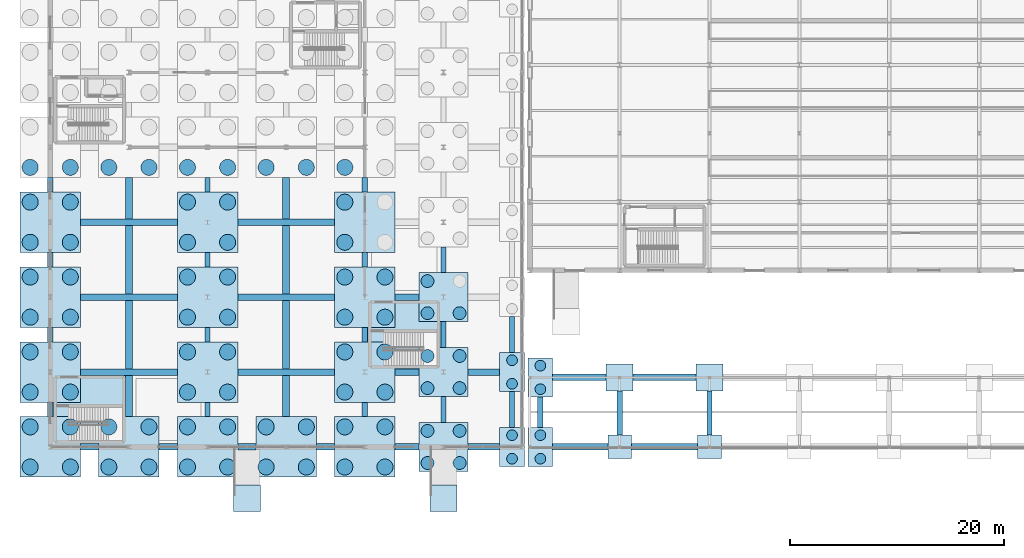
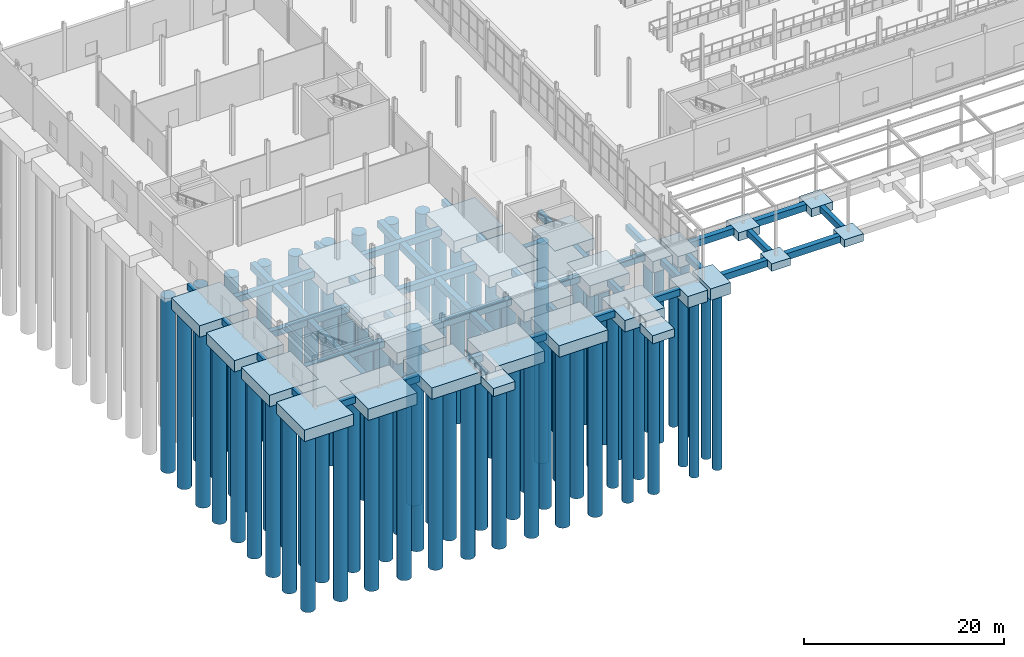
# One storey, part 1 of 139: 82 piles, 70 footings.
"""IFC4 building model written with IfcOpenShell, lengths in metres."""

from ifc_helpers import new_model, si_unit, direction, frame, origin, origin_2d, place, context, subcontext, project, spatial, polyline, rectangle, circle, outline, extrude, material, material_profile, profile_set, type_object, element, save


model = new_model("IFC4")

# Units and contexts
model_context = context("Model", 3, precision=1e-05, world=origin(), true_north=direction((0.0, 1.0)))
body_context = subcontext(model_context, "Body", "Model", "MODEL_VIEW")
ifc_project = project(units=[si_unit("LENGTHUNIT", "METRE"), si_unit("AREAUNIT", "SQUARE_METRE"), si_unit("VOLUMEUNIT", "CUBIC_METRE"), si_unit("PLANEANGLEUNIT", "RADIAN"), si_unit("MASSUNIT", "GRAM", prefix="KILO")], contexts=[model_context])

# Site, building, storey
site_placement = place(None, origin())
site = spatial("IfcSite", under=ifc_project, at=site_placement, CompositionType="ELEMENT")
building_placement = place(site_placement, origin())
building = spatial("IfcBuilding", under=site, at=building_placement, Name="Kazenagashi Tramway Depot", CompositionType="ELEMENT")
storey_placement = place(building_placement, origin())
storey = spatial("IfcBuildingStorey", under=building, at=storey_placement, Name="L01", CompositionType="ELEMENT", Elevation=0.0)

# Piles
ifc_material = material(Name="Concrete Fc30", Category="concrete")
ifc_material_profile_1 = material_profile(ifc_material, circle(Radius=0.5, at=origin_2d()), Name="PILE-1000")
ifc_profile_set_1 = profile_set([ifc_material_profile_1], Name="Concrete Fc30")
pile_type_1 = type_object("IfcPileType", Name="BP-01", PredefinedType="BORED", material=ifc_profile_set_1)
for number, where, z_axis, x_axis, name in (
    (1, (43.15, -1.1, -1.65), (0.0, 0.0, -1.0), (1.0, 0.0, 0.0), "Bored Pile BP-01 PILE-0927"),
    (2, (43.15, 1.1, -1.65), (0.0, 0.0, -1.0), (1.0, 0.0, 0.0), "Bored Pile BP-01 PILE-0928"),
    (3, (43.15, 5.9, -1.65), (0.0, 0.0, -1.0), (1.0, 0.0, 0.0), "Bored Pile BP-01 PILE-0929"),
    (4, (43.15, 8.1, -1.65), (0.0, 0.0, -1.0), (1.0, 0.0, 0.0), "Bored Pile BP-01 PILE-0930"),
    (5, (45.8, -1.1, -1.65), (0.0, 0.0, -1.0), (1.0, 0.0, 0.0), "Bored Pile BP-01 PILE-1015"),
    (6, (45.8, 1.1, -1.65), (0.0, 0.0, -1.0), (1.0, 0.0, 0.0), "Bored Pile BP-01 PILE-1016"),
    (7, (45.8, 5.4, -1.65), (0.0, 0.0, -1.0), (1.0, 0.0, 0.0), "Bored Pile BP-01 PILE-1017"),
    (8, (45.8, 7.6, -1.65), (0.0, 0.0, -1.0), (1.0, 0.0, 0.0), "Bored Pile BP-01 PILE-1018"),
):
    element("IfcPile", number, at=place(storey_placement, frame(where, z_axis=z_axis, x_axis=x_axis)), inside=storey, type_object=pile_type_1, Name=name, PredefinedType="BORED", context=body_context, shape_type="SweptSolid", body=[
        extrude(circle(Radius=0.5, at=origin_2d()), origin(), (0.0, 0.0, 1.0), 21.35),
    ])
ifc_material_profile_2 = material_profile(ifc_material, circle(Radius=0.6, at=origin_2d()), Name="PILE-1200")
ifc_profile_set_2 = profile_set([ifc_material_profile_2], Name="Concrete Fc30")
pile_type_2 = type_object("IfcPileType", Name="BP-02", PredefinedType="BORED", material=ifc_profile_set_2)
for number, where, z_axis, x_axis, name in (
    (9, (35.25, -1.5, -1.65), (0.0, 0.0, -1.0), (1.0, 0.0, 0.0), "Bored Pile BP-02 PILE-0887"),
    (10, (38.25, -1.5, -1.65), (0.0, 0.0, -1.0), (1.0, 0.0, 0.0), "Bored Pile BP-02 PILE-0888"),
    (11, (35.25, 1.5, -1.65), (0.0, 0.0, -1.0), (1.0, 0.0, 0.0), "Bored Pile BP-02 PILE-0889"),
    (12, (38.25, 1.5, -1.65), (0.0, 0.0, -1.0), (1.0, 0.0, 0.0), "Bored Pile BP-02 PILE-0890"),
    (13, (35.25, 5.5, -1.65), (0.0, 0.0, -1.0), (1.0, 0.0, 0.0), "Bored Pile BP-02 PILE-0891"),
    (14, (38.25, 5.5, -1.65), (0.0, 0.0, -1.0), (1.0, 0.0, 0.0), "Bored Pile BP-02 PILE-0892"),
    (15, (35.25, 8.5, -1.65), (0.0, 0.0, -1.0), (1.0, 0.0, 0.0), "Bored Pile BP-02 PILE-0893"),
    (16, (38.25, 8.5, -1.65), (0.0, 0.0, -1.0), (1.0, 0.0, 0.0), "Bored Pile BP-02 PILE-0894"),
    (17, (35.25, 12.5, -1.65), (0.0, 0.0, -1.0), (1.0, 0.0, 0.0), "Bored Pile BP-02 PILE-0895"),
    (18, (38.25, 12.5, -1.65), (0.0, 0.0, -1.0), (1.0, 0.0, 0.0), "Bored Pile BP-02 PILE-0896"),
    (19, (35.25, 15.5, -1.65), (0.0, 0.0, -1.0), (1.0, 0.0, 0.0), "Bored Pile BP-02 PILE-0897"),
):
    element("IfcPile", number, at=place(storey_placement, frame(where, z_axis=z_axis, x_axis=x_axis)), inside=storey, type_object=pile_type_2, Name=name, PredefinedType="BORED", context=body_context, shape_type="SweptSolid", body=[
        extrude(circle(Radius=0.6, at=origin_2d()), origin(), (0.0, 0.0, 1.0), 21.35),
    ])
ifc_material_profile_3 = material_profile(ifc_material, circle(Radius=0.75, at=origin_2d()), Name="PILE-1500")
ifc_profile_set_3 = profile_set([ifc_material_profile_3], Name="Concrete Fc30")
pile_type_3 = type_object("IfcPileType", Name="BP-03", PredefinedType="BORED", material=ifc_profile_set_3)
for number, where, z_axis, x_axis, name in (
    (20, (-1.875, -1.875, -1.65), (0.0, 0.0, -1.0), (1.0, 0.0, 0.0), "Bored Pile BP-03 PILE-0711"),
    (21, (1.875, -1.875, -1.65), (0.0, 0.0, -1.0), (1.0, 0.0, 0.0), "Bored Pile BP-03 PILE-0712"),
    (22, (-1.875, 1.875, -1.65), (0.0, 0.0, -1.0), (1.0, 0.0, 0.0), "Bored Pile BP-03 PILE-0713"),
    (23, (1.875, 1.875, -1.65), (0.0, 0.0, -1.0), (1.0, 0.0, 0.0), "Bored Pile BP-03 PILE-0714"),
    (24, (-1.875, 5.125, -1.65), (0.0, 0.0, -1.0), (1.0, 0.0, 0.0), "Bored Pile BP-03 PILE-0715"),
    (25, (1.875, 5.125, -1.65), (0.0, 0.0, -1.0), (1.0, 0.0, 0.0), "Bored Pile BP-03 PILE-0716"),
    (26, (-1.875, 8.875, -1.65), (0.0, 0.0, -1.0), (1.0, 0.0, 0.0), "Bored Pile BP-03 PILE-0717"),
    (27, (1.875, 8.875, -1.65), (0.0, 0.0, -1.0), (1.0, 0.0, 0.0), "Bored Pile BP-03 PILE-0718"),
    (28, (-1.875, 12.125, -1.65), (0.0, 0.0, -1.0), (1.0, 0.0, 0.0), "Bored Pile BP-03 PILE-0719"),
    (29, (1.875, 12.125, -1.65), (0.0, 0.0, -1.0), (1.0, 0.0, 0.0), "Bored Pile BP-03 PILE-0720"),
    (30, (-1.875, 15.875, -1.65), (0.0, 0.0, -1.0), (1.0, 0.0, 0.0), "Bored Pile BP-03 PILE-0721"),
    (31, (1.875, 15.875, -1.65), (0.0, 0.0, -1.0), (1.0, 0.0, 0.0), "Bored Pile BP-03 PILE-0722"),
    (32, (-1.875, 19.125, -1.65), (0.0, 0.0, -1.0), (1.0, 0.0, 0.0), "Bored Pile BP-03 PILE-0723"),
    (33, (1.875, 19.125, -1.65), (0.0, 0.0, -1.0), (1.0, 0.0, 0.0), "Bored Pile BP-03 PILE-0724"),
    (34, (-1.875, 22.875, -1.65), (0.0, 0.0, -1.0), (1.0, 0.0, 0.0), "Bored Pile BP-03 PILE-0725"),
    (35, (1.875, 22.875, -1.65), (0.0, 0.0, -1.0), (1.0, 0.0, 0.0), "Bored Pile BP-03 PILE-0726"),
    (36, (-1.875, 26.125, -1.65), (0.0, 0.0, -1.0), (1.0, 0.0, 0.0), "Bored Pile BP-03 PILE-0727"),
    (37, (1.875, 26.125, -1.65), (0.0, 0.0, -1.0), (1.0, 0.0, 0.0), "Bored Pile BP-03 PILE-0728"),
    (38, (5.475, -1.875, -1.65), (0.0, 0.0, -1.0), (1.0, 0.0, 0.0), "Bored Pile BP-03 PILE-0751"),
    (39, (9.225, -1.875, -1.65), (0.0, 0.0, -1.0), (1.0, 0.0, 0.0), "Bored Pile BP-03 PILE-0752"),
    (40, (5.475, 1.875, -1.65), (0.0, 0.0, -1.0), (1.0, 0.0, 0.0), "Bored Pile BP-03 PILE-0753"),
    (41, (9.225, 1.875, -1.65), (0.0, 0.0, -1.0), (1.0, 0.0, 0.0), "Bored Pile BP-03 PILE-0754"),
    (42, (5.475, 26.125, -1.65), (0.0, 0.0, -1.0), (1.0, 0.0, 0.0), "Bored Pile BP-03 PILE-0755"),
    (43, (9.225, 26.125, -1.65), (0.0, 0.0, -1.0), (1.0, 0.0, 0.0), "Bored Pile BP-03 PILE-0756"),
    (44, (12.825, -1.875, -1.65), (0.0, 0.0, -1.0), (1.0, 0.0, 0.0), "Bored Pile BP-03 PILE-0779"),
    (45, (16.575, -1.875, -1.65), (0.0, 0.0, -1.0), (1.0, 0.0, 0.0), "Bored Pile BP-03 PILE-0780"),
    (46, (12.825, 1.875, -1.65), (0.0, 0.0, -1.0), (1.0, 0.0, 0.0), "Bored Pile BP-03 PILE-0781"),
    (47, (16.575, 1.875, -1.65), (0.0, 0.0, -1.0), (1.0, 0.0, 0.0), "Bored Pile BP-03 PILE-0782"),
    (48, (12.825, 5.125, -1.65), (0.0, 0.0, -1.0), (1.0, 0.0, 0.0), "Bored Pile BP-03 PILE-0783"),
    (49, (16.575, 5.125, -1.65), (0.0, 0.0, -1.0), (1.0, 0.0, 0.0), "Bored Pile BP-03 PILE-0784"),
    (50, (12.825, 8.875, -1.65), (0.0, 0.0, -1.0), (1.0, 0.0, 0.0), "Bored Pile BP-03 PILE-0785"),
    (51, (16.575, 8.875, -1.65), (0.0, 0.0, -1.0), (1.0, 0.0, 0.0), "Bored Pile BP-03 PILE-0786"),
    (52, (12.825, 12.125, -1.65), (0.0, 0.0, -1.0), (1.0, 0.0, 0.0), "Bored Pile BP-03 PILE-0787"),
    (53, (16.575, 12.125, -1.65), (0.0, 0.0, -1.0), (1.0, 0.0, 0.0), "Bored Pile BP-03 PILE-0788"),
    (54, (12.825, 15.875, -1.65), (0.0, 0.0, -1.0), (1.0, 0.0, 0.0), "Bored Pile BP-03 PILE-0789"),
    (55, (16.575, 15.875, -1.65), (0.0, 0.0, -1.0), (1.0, 0.0, 0.0), "Bored Pile BP-03 PILE-0790"),
    (56, (12.825, 19.125, -1.65), (0.0, 0.0, -1.0), (1.0, 0.0, 0.0), "Bored Pile BP-03 PILE-0791"),
    (57, (16.575, 19.125, -1.65), (0.0, 0.0, -1.0), (1.0, 0.0, 0.0), "Bored Pile BP-03 PILE-0792"),
    (58, (12.825, 22.875, -1.65), (0.0, 0.0, -1.0), (1.0, 0.0, 0.0), "Bored Pile BP-03 PILE-0793"),
    (59, (16.575, 22.875, -1.65), (0.0, 0.0, -1.0), (1.0, 0.0, 0.0), "Bored Pile BP-03 PILE-0794"),
    (60, (12.825, 26.125, -1.65), (0.0, 0.0, -1.0), (1.0, 0.0, 0.0), "Bored Pile BP-03 PILE-0795"),
    (61, (16.575, 26.125, -1.65), (0.0, 0.0, -1.0), (1.0, 0.0, 0.0), "Bored Pile BP-03 PILE-0796"),
    (62, (20.175, -1.875, -1.65), (0.0, 0.0, -1.0), (1.0, 0.0, 0.0), "Bored Pile BP-03 PILE-0819"),
    (63, (23.925, -1.875, -1.65), (0.0, 0.0, -1.0), (1.0, 0.0, 0.0), "Bored Pile BP-03 PILE-0820"),
    (64, (20.175, 1.875, -1.65), (0.0, 0.0, -1.0), (1.0, 0.0, 0.0), "Bored Pile BP-03 PILE-0821"),
    (65, (23.925, 1.875, -1.65), (0.0, 0.0, -1.0), (1.0, 0.0, 0.0), "Bored Pile BP-03 PILE-0822"),
    (66, (20.175, 26.125, -1.65), (0.0, 0.0, -1.0), (1.0, 0.0, 0.0), "Bored Pile BP-03 PILE-0823"),
    (67, (23.925, 26.125, -1.65), (0.0, 0.0, -1.0), (1.0, 0.0, 0.0), "Bored Pile BP-03 PILE-0824"),
    (68, (27.525, -1.875, -1.65), (0.0, 0.0, -1.0), (1.0, 0.0, 0.0), "Bored Pile BP-03 PILE-0847"),
    (69, (31.275, -1.875, -1.65), (0.0, 0.0, -1.0), (1.0, 0.0, 0.0), "Bored Pile BP-03 PILE-0848"),
    (70, (27.525, 1.875, -1.65), (0.0, 0.0, -1.0), (1.0, 0.0, 0.0), "Bored Pile BP-03 PILE-0849"),
    (71, (31.275, 1.875, -1.65), (0.0, 0.0, -1.0), (1.0, 0.0, 0.0), "Bored Pile BP-03 PILE-0850"),
    (72, (27.525, 5.125, -1.65), (0.0, 0.0, -1.0), (1.0, 0.0, 0.0), "Bored Pile BP-03 PILE-0851"),
    (73, (31.275, 5.125, -1.65), (0.0, 0.0, -1.0), (1.0, 0.0, 0.0), "Bored Pile BP-03 PILE-0852"),
    (74, (27.525, 8.875, -1.65), (0.0, 0.0, -1.0), (1.0, 0.0, 0.0), "Bored Pile BP-03 PILE-0853"),
    (75, (31.275, 8.875, -1.65), (0.0, 0.0, -1.0), (1.0, 0.0, 0.0), "Bored Pile BP-03 PILE-0854"),
    (76, (27.525, 12.125, -1.65), (0.0, 0.0, -1.0), (1.0, 0.0, 0.0), "Bored Pile BP-03 PILE-0855"),
    (77, (31.275, 12.125, -1.65), (0.0, 0.0, -1.0), (1.0, 0.0, 0.0), "Bored Pile BP-03 PILE-0856"),
    (78, (27.525, 15.875, -1.65), (0.0, 0.0, -1.0), (1.0, 0.0, 0.0), "Bored Pile BP-03 PILE-0857"),
    (79, (31.275, 15.875, -1.65), (0.0, 0.0, -1.0), (1.0, 0.0, 0.0), "Bored Pile BP-03 PILE-0858"),
    (80, (27.525, 19.125, -1.65), (0.0, 0.0, -1.0), (1.0, 0.0, 0.0), "Bored Pile BP-03 PILE-0859"),
    (81, (27.525, 22.875, -1.65), (0.0, 0.0, -1.0), (1.0, 0.0, 0.0), "Bored Pile BP-03 PILE-0861"),
    (82, (27.525, 26.125, -1.65), (0.0, 0.0, -1.0), (1.0, 0.0, 0.0), "Bored Pile BP-03 PILE-0863"),
):
    element("IfcPile", number, at=place(storey_placement, frame(where, z_axis=z_axis, x_axis=x_axis)), inside=storey, type_object=pile_type_3, Name=name, PredefinedType="BORED", context=body_context, shape_type="SweptSolid", body=[
        extrude(circle(Radius=0.75, at=origin_2d()), origin(), (0.0, 0.0, 1.0), 21.35),
    ])

# Footings
footing_type_1 = type_object("IfcFootingType", Name="FB-01", PredefinedType="FOOTING_BEAM", material=ifc_material)
footing_1_placement = place(storey_placement, frame((0.0, 0.0, -1.15)))
element("IfcFooting", 83, at=footing_1_placement, inside=storey, type_object=footing_type_1, Name="Footing Tie Beam FB-0001", PredefinedType="FOOTING_BEAM", context=body_context, shape_type="SweptSolid", body=[
    extrude(outline(polyline([(2.825, -0.3), (4.525, -0.3), (4.525, 0.3), (2.825, 0.3), (2.825, -0.3)])), origin(), (0.0, 0.0, 1.0), 0.8),
])
footing_2_placement = place(storey_placement, frame((0.0, 0.0, -1.15)))
element("IfcFooting", 84, at=footing_2_placement, inside=storey, type_object=footing_type_1, Name="Footing Tie Beam FB-0002", PredefinedType="FOOTING_BEAM", context=body_context, shape_type="SweptSolid", body=[
    extrude(outline(polyline([(10.175, -0.3), (11.875, -0.3), (11.875, 0.3), (10.175, 0.3), (10.175, -0.3)])), origin(), (0.0, 0.0, 1.0), 0.8),
])
footing_3_placement = place(storey_placement, frame((0.0, 0.0, -1.15)))
element("IfcFooting", 85, at=footing_3_placement, inside=storey, type_object=footing_type_1, Name="Footing Tie Beam FB-0003", PredefinedType="FOOTING_BEAM", context=body_context, shape_type="SweptSolid", body=[
    extrude(outline(polyline([(17.525, -0.3), (19.225, -0.3), (19.225, 0.3), (17.525, 0.3), (17.525, -0.3)])), origin(), (0.0, 0.0, 1.0), 0.8),
])
footing_4_placement = place(storey_placement, frame((0.0, 0.0, -1.15)))
element("IfcFooting", 86, at=footing_4_placement, inside=storey, type_object=footing_type_1, Name="Footing Tie Beam FB-0004", PredefinedType="FOOTING_BEAM", context=body_context, shape_type="SweptSolid", body=[
    extrude(outline(polyline([(24.875, -0.3), (26.575, -0.3), (26.575, 0.3), (24.875, 0.3), (24.875, -0.3)])), origin(), (0.0, 0.0, 1.0), 0.8),
])
footing_5_placement = place(storey_placement, frame((0.0, 0.0, -1.15)))
element("IfcFooting", 87, at=footing_5_placement, inside=storey, type_object=footing_type_1, Name="Footing Tie Beam FB-0005", PredefinedType="FOOTING_BEAM", context=body_context, shape_type="SweptSolid", body=[
    extrude(outline(polyline([(32.225, -0.3), (34.45, -0.3), (34.45, 0.3), (32.225, 0.3), (32.225, -0.3)])), origin(), (0.0, 0.0, 1.0), 0.8),
])
footing_6_placement = place(storey_placement, frame((0.0, 0.0, -1.15)))
element("IfcFooting", 88, at=footing_6_placement, inside=storey, type_object=footing_type_1, Name="Footing Tie Beam FB-0006", PredefinedType="FOOTING_BEAM", context=body_context, shape_type="SweptSolid", body=[
    extrude(outline(polyline([(39.05, -0.3), (42.0, -0.3), (42.0, 0.3), (39.05, 0.3), (39.05, -0.3)])), origin(), (0.0, 0.0, 1.0), 0.8),
])
footing_7_placement = place(storey_placement, frame((0.0, 0.0, -1.15)))
element("IfcFooting", 89, at=footing_7_placement, inside=storey, type_object=footing_type_1, Name="Footing Tie Beam FB-0007", PredefinedType="FOOTING_BEAM", context=body_context, shape_type="SweptSolid", body=[
    extrude(outline(polyline([(46.95, -0.3), (52.1, -0.3), (52.1, 0.3), (46.95, 0.3), (46.95, -0.3)])), origin(), (0.0, 0.0, 1.0), 0.8),
])
footing_8_placement = place(storey_placement, frame((0.0, 0.0, -1.15)))
element("IfcFooting", 90, at=footing_8_placement, inside=storey, type_object=footing_type_1, Name="Footing Tie Beam FB-0008", PredefinedType="FOOTING_BEAM", context=body_context, shape_type="SweptSolid", body=[
    extrude(outline(polyline([(54.3, -0.3), (60.5, -0.3), (60.5, 0.3), (54.3, 0.3), (54.3, -0.3)])), origin(), (0.0, 0.0, 1.0), 0.8),
])
footing_9_placement = place(storey_placement, frame((0.0, 0.0, -1.15)))
element("IfcFooting", 91, at=footing_9_placement, inside=storey, type_object=footing_type_1, Name="Footing Tie Beam FB-0027", PredefinedType="FOOTING_BEAM", context=body_context, shape_type="SweptSolid", body=[
    extrude(outline(polyline([(46.95, 6.2), (51.95, 6.2), (51.95, 6.8), (46.95, 6.8), (46.95, 6.2)])), origin(), (0.0, 0.0, 1.0), 0.8),
])
footing_10_placement = place(storey_placement, frame((0.0, 0.0, -1.15)))
element("IfcFooting", 92, at=footing_10_placement, inside=storey, type_object=footing_type_1, Name="Footing Tie Beam FB-0028", PredefinedType="FOOTING_BEAM", context=body_context, shape_type="SweptSolid", body=[
    extrude(outline(polyline([(54.45, 6.2), (60.35, 6.2), (60.35, 6.8), (54.45, 6.8), (54.45, 6.2)])), origin(), (0.0, 0.0, 1.0), 0.8),
])
footing_11_placement = place(storey_placement, frame((0.0, 0.0, -1.15)))
element("IfcFooting", 93, at=footing_11_placement, inside=storey, type_object=footing_type_1, Name="Footing Tie Beam FB-0033", PredefinedType="FOOTING_BEAM", context=body_context, shape_type="SweptSolid", body=[
    extrude(outline(polyline([(2.825, 6.7), (11.875, 6.7), (11.875, 7.3), (2.825, 7.3), (2.825, 6.7)])), origin(), (0.0, 0.0, 1.0), 0.8),
])
footing_12_placement = place(storey_placement, frame((0.0, 0.0, -1.15)))
element("IfcFooting", 94, at=footing_12_placement, inside=storey, type_object=footing_type_1, Name="Footing Tie Beam FB-0034", PredefinedType="FOOTING_BEAM", context=body_context, shape_type="SweptSolid", body=[
    extrude(outline(polyline([(17.525, 6.7), (26.575, 6.7), (26.575, 7.3), (17.525, 7.3), (17.525, 6.7)])), origin(), (0.0, 0.0, 1.0), 0.8),
])
footing_13_placement = place(storey_placement, frame((0.0, 0.0, -1.15)))
element("IfcFooting", 95, at=footing_13_placement, inside=storey, type_object=footing_type_1, Name="Footing Tie Beam FB-0035", PredefinedType="FOOTING_BEAM", context=body_context, shape_type="SweptSolid", body=[
    extrude(outline(polyline([(32.225, 6.7), (34.45, 6.7), (34.45, 7.3), (32.225, 7.3), (32.225, 6.7)])), origin(), (0.0, 0.0, 1.0), 0.8),
])
footing_14_placement = place(storey_placement, frame((0.0, 0.0, -1.15)))
element("IfcFooting", 96, at=footing_14_placement, inside=storey, type_object=footing_type_1, Name="Footing Tie Beam FB-0036", PredefinedType="FOOTING_BEAM", context=body_context, shape_type="SweptSolid", body=[
    extrude(outline(polyline([(39.05, 6.7), (42.0, 6.7), (42.0, 7.3), (39.05, 7.3), (39.05, 6.7)])), origin(), (0.0, 0.0, 1.0), 0.8),
])
footing_15_placement = place(storey_placement, frame((0.0, 0.0, -1.15)))
element("IfcFooting", 97, at=footing_15_placement, inside=storey, type_object=footing_type_1, Name="Footing Tie Beam FB-0049", PredefinedType="FOOTING_BEAM", context=body_context, shape_type="SweptSolid", body=[
    extrude(outline(polyline([(2.825, 13.7), (11.875, 13.7), (11.875, 14.3), (2.825, 14.3), (2.825, 13.7)])), origin(), (0.0, 0.0, 1.0), 0.8),
])
footing_16_placement = place(storey_placement, frame((0.0, 0.0, -1.15)))
element("IfcFooting", 98, at=footing_16_placement, inside=storey, type_object=footing_type_1, Name="Footing Tie Beam FB-0050", PredefinedType="FOOTING_BEAM", context=body_context, shape_type="SweptSolid", body=[
    extrude(outline(polyline([(17.525, 13.7), (26.575, 13.7), (26.575, 14.3), (17.525, 14.3), (17.525, 13.7)])), origin(), (0.0, 0.0, 1.0), 0.8),
])
footing_17_placement = place(storey_placement, frame((0.0, 0.0, -1.15)))
element("IfcFooting", 99, at=footing_17_placement, inside=storey, type_object=footing_type_1, Name="Footing Tie Beam FB-0051", PredefinedType="FOOTING_BEAM", context=body_context, shape_type="SweptSolid", body=[
    extrude(outline(polyline([(32.225, 13.7), (34.45, 13.7), (34.45, 14.3), (32.225, 14.3), (32.225, 13.7)])), origin(), (0.0, 0.0, 1.0), 0.8),
])
footing_18_placement = place(storey_placement, frame((0.0, 0.0, -1.15)))
element("IfcFooting", 100, at=footing_18_placement, inside=storey, type_object=footing_type_1, Name="Footing Tie Beam FB-0063", PredefinedType="FOOTING_BEAM", context=body_context, shape_type="SweptSolid", body=[
    extrude(outline(polyline([(2.825, 20.7), (11.875, 20.7), (11.875, 21.3), (2.825, 21.3), (2.825, 20.7)])), origin(), (0.0, 0.0, 1.0), 0.8),
])
footing_19_placement = place(storey_placement, frame((0.0, 0.0, -1.15)))
element("IfcFooting", 101, at=footing_19_placement, inside=storey, type_object=footing_type_1, Name="Footing Tie Beam FB-0064", PredefinedType="FOOTING_BEAM", context=body_context, shape_type="SweptSolid", body=[
    extrude(outline(polyline([(17.525, 20.7), (26.575, 20.7), (26.575, 21.3), (17.525, 21.3), (17.525, 20.7)])), origin(), (0.0, 0.0, 1.0), 0.8),
])
footing_type_2 = type_object("IfcFootingType", Name="FB-03", PredefinedType="FOOTING_BEAM", material=ifc_material)
footing_20_placement = place(storey_placement, frame((0.0, 0.0, -1.1)))
element("IfcFooting", 102, at=footing_20_placement, inside=storey, type_object=footing_type_2, Name="Footing Tie Beam FB-0221", PredefinedType="FOOTING_BEAM", context=body_context, shape_type="SweptSolid", body=[
    extrude(outline(polyline([(-0.25, 2.825), (0.25, 2.825), (0.25, 4.175), (-0.25, 4.175), (-0.25, 2.825)])), origin(), (0.0, 0.0, 1.0), 0.75),
])
footing_21_placement = place(storey_placement, frame((0.0, 0.0, -1.1)))
element("IfcFooting", 103, at=footing_21_placement, inside=storey, type_object=footing_type_2, Name="Footing Tie Beam FB-0222", PredefinedType="FOOTING_BEAM", context=body_context, shape_type="SweptSolid", body=[
    extrude(outline(polyline([(-0.25, 9.825), (0.25, 9.825), (0.25, 11.175), (-0.25, 11.175), (-0.25, 9.825)])), origin(), (0.0, 0.0, 1.0), 0.75),
])
footing_22_placement = place(storey_placement, frame((0.0, 0.0, -1.1)))
element("IfcFooting", 104, at=footing_22_placement, inside=storey, type_object=footing_type_2, Name="Footing Tie Beam FB-0223", PredefinedType="FOOTING_BEAM", context=body_context, shape_type="SweptSolid", body=[
    extrude(outline(polyline([(-0.25, 16.825), (0.25, 16.825), (0.25, 18.175), (-0.25, 18.175), (-0.25, 16.825)])), origin(), (0.0, 0.0, 1.0), 0.75),
])
footing_23_placement = place(storey_placement, frame((0.0, 0.0, -1.1)))
element("IfcFooting", 105, at=footing_23_placement, inside=storey, type_object=footing_type_2, Name="Footing Tie Beam FB-0224", PredefinedType="FOOTING_BEAM", context=body_context, shape_type="SweptSolid", body=[
    extrude(outline(polyline([(-0.25, 23.825), (0.25, 23.825), (0.25, 25.175), (-0.25, 25.175), (-0.25, 23.825)])), origin(), (0.0, 0.0, 1.0), 0.75),
])
footing_24_placement = place(storey_placement, frame((0.0, 0.0, -1.1)))
element("IfcFooting", 106, at=footing_24_placement, inside=storey, type_object=footing_type_2, Name="Footing Tie Beam FB-0236", PredefinedType="FOOTING_BEAM", context=body_context, shape_type="SweptSolid", body=[
    extrude(outline(polyline([(14.45, 2.825), (14.95, 2.825), (14.95, 4.175), (14.45, 4.175), (14.45, 2.825)])), origin(), (0.0, 0.0, 1.0), 0.75),
])
footing_25_placement = place(storey_placement, frame((0.0, 0.0, -1.1)))
element("IfcFooting", 107, at=footing_25_placement, inside=storey, type_object=footing_type_2, Name="Footing Tie Beam FB-0237", PredefinedType="FOOTING_BEAM", context=body_context, shape_type="SweptSolid", body=[
    extrude(outline(polyline([(14.45, 9.825), (14.95, 9.825), (14.95, 11.175), (14.45, 11.175), (14.45, 9.825)])), origin(), (0.0, 0.0, 1.0), 0.75),
])
footing_26_placement = place(storey_placement, frame((0.0, 0.0, -1.1)))
element("IfcFooting", 108, at=footing_26_placement, inside=storey, type_object=footing_type_2, Name="Footing Tie Beam FB-0238", PredefinedType="FOOTING_BEAM", context=body_context, shape_type="SweptSolid", body=[
    extrude(outline(polyline([(14.45, 16.825), (14.95, 16.825), (14.95, 18.175), (14.45, 18.175), (14.45, 16.825)])), origin(), (0.0, 0.0, 1.0), 0.75),
])
footing_27_placement = place(storey_placement, frame((0.0, 0.0, -1.1)))
element("IfcFooting", 109, at=footing_27_placement, inside=storey, type_object=footing_type_2, Name="Footing Tie Beam FB-0239", PredefinedType="FOOTING_BEAM", context=body_context, shape_type="SweptSolid", body=[
    extrude(outline(polyline([(14.45, 23.825), (14.95, 23.825), (14.95, 25.175), (14.45, 25.175), (14.45, 23.825)])), origin(), (0.0, 0.0, 1.0), 0.75),
])
footing_28_placement = place(storey_placement, frame((0.0, 0.0, -1.1)))
element("IfcFooting", 110, at=footing_28_placement, inside=storey, type_object=footing_type_2, Name="Footing Tie Beam FB-0251", PredefinedType="FOOTING_BEAM", context=body_context, shape_type="SweptSolid", body=[
    extrude(outline(polyline([(29.15, 2.825), (29.65, 2.825), (29.65, 4.175), (29.15, 4.175), (29.15, 2.825)])), origin(), (0.0, 0.0, 1.0), 0.75),
])
footing_29_placement = place(storey_placement, frame((0.0, 0.0, -1.1)))
element("IfcFooting", 111, at=footing_29_placement, inside=storey, type_object=footing_type_2, Name="Footing Tie Beam FB-0252", PredefinedType="FOOTING_BEAM", context=body_context, shape_type="SweptSolid", body=[
    extrude(outline(polyline([(29.15, 9.825), (29.65, 9.825), (29.65, 11.175), (29.15, 11.175), (29.15, 9.825)])), origin(), (0.0, 0.0, 1.0), 0.75),
])
footing_30_placement = place(storey_placement, frame((0.0, 0.0, -1.1)))
element("IfcFooting", 112, at=footing_30_placement, inside=storey, type_object=footing_type_2, Name="Footing Tie Beam FB-0253", PredefinedType="FOOTING_BEAM", context=body_context, shape_type="SweptSolid", body=[
    extrude(outline(polyline([(29.15, 16.825), (29.65, 16.825), (29.65, 18.175), (29.15, 18.175), (29.15, 16.825)])), origin(), (0.0, 0.0, 1.0), 0.75),
])
footing_31_placement = place(storey_placement, frame((0.0, 0.0, -1.1)))
element("IfcFooting", 113, at=footing_31_placement, inside=storey, type_object=footing_type_2, Name="Footing Tie Beam FB-0254", PredefinedType="FOOTING_BEAM", context=body_context, shape_type="SweptSolid", body=[
    extrude(outline(polyline([(29.15, 23.825), (29.65, 23.825), (29.65, 25.175), (29.15, 25.175), (29.15, 23.825)])), origin(), (0.0, 0.0, 1.0), 0.75),
])
footing_32_placement = place(storey_placement, frame((0.0, 0.0, -1.1)))
element("IfcFooting", 114, at=footing_32_placement, inside=storey, type_object=footing_type_2, Name="Footing Tie Beam FB-0260", PredefinedType="FOOTING_BEAM", context=body_context, shape_type="SweptSolid", body=[
    extrude(outline(polyline([(36.5, 2.3), (37.0, 2.3), (37.0, 4.7), (36.5, 4.7), (36.5, 2.3)])), origin(), (0.0, 0.0, 1.0), 0.75),
])
footing_33_placement = place(storey_placement, frame((0.0, 0.0, -1.1)))
element("IfcFooting", 115, at=footing_33_placement, inside=storey, type_object=footing_type_2, Name="Footing Tie Beam FB-0261", PredefinedType="FOOTING_BEAM", context=body_context, shape_type="SweptSolid", body=[
    extrude(outline(polyline([(36.5, 9.3), (37.0, 9.3), (37.0, 11.7), (36.5, 11.7), (36.5, 9.3)])), origin(), (0.0, 0.0, 1.0), 0.75),
])
footing_34_placement = place(storey_placement, frame((0.0, 0.0, -1.1)))
element("IfcFooting", 116, at=footing_34_placement, inside=storey, type_object=footing_type_2, Name="Footing Tie Beam FB-0262", PredefinedType="FOOTING_BEAM", context=body_context, shape_type="SweptSolid", body=[
    extrude(outline(polyline([(36.5, 16.3), (37.0, 16.3), (37.0, 18.7), (36.5, 18.7), (36.5, 16.3)])), origin(), (0.0, 0.0, 1.0), 0.75),
])
footing_35_placement = place(storey_placement, frame((0.0, 0.0, -1.1)))
element("IfcFooting", 117, at=footing_35_placement, inside=storey, type_object=footing_type_2, Name="Footing Tie Beam FB-0269", PredefinedType="FOOTING_BEAM", context=body_context, shape_type="SweptSolid", body=[
    extrude(outline(polyline([(42.9, 1.82), (43.4, 1.82), (43.4, 5.18), (42.9, 5.18), (42.9, 1.82)])), origin(), (0.0, 0.0, 1.0), 0.75),
])
footing_36_placement = place(storey_placement, frame((0.0, 0.0, -1.1)))
element("IfcFooting", 118, at=footing_36_placement, inside=storey, type_object=footing_type_2, Name="Footing Tie Beam FB-0270", PredefinedType="FOOTING_BEAM", context=body_context, shape_type="SweptSolid", body=[
    extrude(outline(polyline([(42.9, 8.82), (43.4, 8.82), (43.4, 12.18), (42.9, 12.18), (42.9, 8.82)])), origin(), (0.0, 0.0, 1.0), 0.75),
])
footing_37_placement = place(storey_placement, frame((0.0, 0.0, -1.1)))
element("IfcFooting", 119, at=footing_37_placement, inside=storey, type_object=footing_type_2, Name="Footing Tie Beam FB-0281", PredefinedType="FOOTING_BEAM", context=body_context, shape_type="SweptSolid", body=[
    extrude(outline(polyline([(45.55, 1.82), (46.05, 1.82), (46.05, 4.68), (45.55, 4.68), (45.55, 1.82)])), origin(), (0.0, 0.0, 1.0), 0.75),
])
footing_38_placement = place(storey_placement, frame((0.0, 0.0, -1.1)))
element("IfcFooting", 120, at=footing_38_placement, inside=storey, type_object=footing_type_2, Name="Footing Tie Beam FB-0284", PredefinedType="FOOTING_BEAM", context=body_context, shape_type="SweptSolid", body=[
    extrude(outline(polyline([(52.95, 1.1), (53.45, 1.1), (53.45, 5.25), (52.95, 5.25), (52.95, 1.1)])), origin(), (0.0, 0.0, 1.0), 0.75),
])
footing_39_placement = place(storey_placement, frame((0.0, 0.0, -1.1)))
element("IfcFooting", 121, at=footing_39_placement, inside=storey, type_object=footing_type_2, Name="Footing Tie Beam FB-0295", PredefinedType="FOOTING_BEAM", context=body_context, shape_type="SweptSolid", body=[
    extrude(outline(polyline([(61.35, 1.1), (61.85, 1.1), (61.85, 5.25), (61.35, 5.25), (61.35, 1.1)])), origin(), (0.0, 0.0, 1.0), 0.75),
])
footing_type_3 = type_object("IfcFootingType", Name="FB-04", PredefinedType="FOOTING_BEAM", material=ifc_material)
footing_40_placement = place(storey_placement, frame((0.0, 0.0, -1.2)))
element("IfcFooting", 122, at=footing_40_placement, inside=storey, type_object=footing_type_3, Name="Footing Tie Beam FB-0230", PredefinedType="FOOTING_BEAM", context=body_context, shape_type="SweptSolid", body=[
    extrude(outline(polyline([(7.025, 2.825), (7.675, 2.825), (7.675, 25.175), (7.025, 25.175), (7.025, 2.825)])), origin(), (0.0, 0.0, 1.0), 0.85),
])
footing_41_placement = place(storey_placement, frame((0.0, 0.0, -1.2)))
element("IfcFooting", 123, at=footing_41_placement, inside=storey, type_object=footing_type_3, Name="Footing Tie Beam FB-0245", PredefinedType="FOOTING_BEAM", context=body_context, shape_type="SweptSolid", body=[
    extrude(outline(polyline([(21.725, 2.825), (22.375, 2.825), (22.375, 25.175), (21.725, 25.175), (21.725, 2.825)])), origin(), (0.0, 0.0, 1.0), 0.85),
])
footing_type_4 = type_object("IfcFootingType", Name="PC-04", PredefinedType="PILE_CAP", material=ifc_material)
for number, where, z_axis, x_axis, name in (
    (124, (36.75, 0.0, -1.75), (0.0, 0.0, 1.0), (1.0, 0.0, 0.0), "Pile Cap PC-04 CAP-274"),
    (125, (36.75, 7.0, -1.75), (0.0, 0.0, 1.0), (1.0, 0.0, 0.0), "Pile Cap PC-04 CAP-275"),
    (126, (36.75, 14.0, -1.75), (0.0, 0.0, 1.0), (1.0, 0.0, 0.0), "Pile Cap PC-04 CAP-276"),
):
    element("IfcFooting", number, at=place(storey_placement, frame(where, z_axis=z_axis, x_axis=x_axis)), inside=storey, type_object=footing_type_4, Name=name, PredefinedType="PILE_CAP", context=body_context, shape_type="SweptSolid", body=[
        extrude(rectangle(XDim=4.6, YDim=4.6, at=origin_2d()), origin(), (0.0, 0.0, 1.0), 1.4),
    ])
footing_type_5 = type_object("IfcFootingType", Name="PC-05", PredefinedType="PILE_CAP", material=ifc_material)
for number, where, z_axis, x_axis, name in (
    (127, (0.0, 0.0, -1.75), (0.0, 0.0, 1.0), (1.0, 0.0, 0.0), "Pile Cap PC-05 CAP-230"),
    (128, (0.0, 7.0, -1.75), (0.0, 0.0, 1.0), (1.0, 0.0, 0.0), "Pile Cap PC-05 CAP-231"),
    (129, (0.0, 14.0, -1.75), (0.0, 0.0, 1.0), (1.0, 0.0, 0.0), "Pile Cap PC-05 CAP-232"),
    (130, (0.0, 21.0, -1.75), (0.0, 0.0, 1.0), (1.0, 0.0, 0.0), "Pile Cap PC-05 CAP-233"),
    (131, (7.35, 0.0, -1.75), (0.0, 0.0, 1.0), (1.0, 0.0, 0.0), "Pile Cap PC-05 CAP-240"),
    (132, (14.7, 0.0, -1.75), (0.0, 0.0, 1.0), (1.0, 0.0, 0.0), "Pile Cap PC-05 CAP-247"),
    (133, (14.7, 7.0, -1.75), (0.0, 0.0, 1.0), (1.0, 0.0, 0.0), "Pile Cap PC-05 CAP-248"),
    (134, (14.7, 14.0, -1.75), (0.0, 0.0, 1.0), (1.0, 0.0, 0.0), "Pile Cap PC-05 CAP-249"),
    (135, (14.7, 21.0, -1.75), (0.0, 0.0, 1.0), (1.0, 0.0, 0.0), "Pile Cap PC-05 CAP-250"),
    (136, (22.05, 0.0, -1.75), (0.0, 0.0, 1.0), (1.0, 0.0, 0.0), "Pile Cap PC-05 CAP-257"),
    (137, (29.4, 0.0, -1.75), (0.0, 0.0, 1.0), (1.0, 0.0, 0.0), "Pile Cap PC-05 CAP-264"),
    (138, (29.4, 7.0, -1.75), (0.0, 0.0, 1.0), (1.0, 0.0, 0.0), "Pile Cap PC-05 CAP-265"),
    (139, (29.4, 14.0, -1.75), (0.0, 0.0, 1.0), (1.0, 0.0, 0.0), "Pile Cap PC-05 CAP-266"),
    (140, (29.4, 21.0, -1.75), (0.0, 0.0, 1.0), (1.0, 0.0, 0.0), "Pile Cap PC-05 CAP-267"),
):
    element("IfcFooting", number, at=place(storey_placement, frame(where, z_axis=z_axis, x_axis=x_axis)), inside=storey, type_object=footing_type_5, Name=name, PredefinedType="PILE_CAP", context=body_context, shape_type="SweptSolid", body=[
        extrude(rectangle(XDim=5.65, YDim=5.65, at=origin_2d()), origin(), (0.0, 0.0, 1.0), 1.4),
    ])
footing_type_6 = type_object("IfcFootingType", Name="PC-11", PredefinedType="PILE_CAP", material=ifc_material)
for number, where, z_axis, x_axis, name in (
    (141, (43.15, 0.0, -1.75), (0.0, 0.0, 1.0), (1.0, 0.0, 0.0), "Pile Cap PC-11 CAP-284"),
    (142, (43.15, 7.0, -1.75), (0.0, 0.0, 1.0), (1.0, 0.0, 0.0), "Pile Cap PC-11 CAP-285"),
    (143, (45.8, 0.0, -1.75), (0.0, 0.0, 1.0), (1.0, 0.0, 0.0), "Pile Cap PC-11 CAP-315"),
    (144, (45.8, 6.5, -1.75), (0.0, 0.0, 1.0), (1.0, 0.0, 0.0), "Pile Cap PC-11 CAP-316"),
):
    element("IfcFooting", number, at=place(storey_placement, frame(where, z_axis=z_axis, x_axis=x_axis)), inside=storey, type_object=footing_type_6, Name=name, PredefinedType="PILE_CAP", context=body_context, shape_type="SweptSolid", body=[
        extrude(rectangle(XDim=2.3, YDim=3.64, at=origin_2d()), origin(), (0.0, 0.0, 1.0), 1.4),
    ])
footing_type_7 = type_object("IfcFootingType", Name="PF-01", PredefinedType="PAD_FOOTING", material=ifc_material)
for number, where, z_axis, x_axis, name in (
    (145, (53.2, 0.0, -1.25), (0.0, 0.0, 1.0), (1.0, 0.0, 0.0), "Canopy Pad Footing PAD-001"),
    (146, (61.6, 0.0, -1.25), (0.0, 0.0, 1.0), (1.0, 0.0, 0.0), "Canopy Pad Footing PAD-003"),
):
    element("IfcFooting", number, at=place(storey_placement, frame(where, z_axis=z_axis, x_axis=x_axis)), inside=storey, type_object=footing_type_7, Name=name, PredefinedType="PAD_FOOTING", context=body_context, shape_type="SweptSolid", body=[
        extrude(rectangle(XDim=2.2, YDim=2.2, at=origin_2d()), origin(), (0.0, 0.0, 1.0), 0.9),
    ])
footing_type_8 = type_object("IfcFootingType", Name="PF-02", PredefinedType="PAD_FOOTING", material=ifc_material)
for number, where, z_axis, x_axis, name in (
    (147, (53.2, 6.5, -1.35), (0.0, 0.0, 1.0), (1.0, 0.0, 0.0), "Canopy Pad Footing PAD-002"),
    (148, (61.6, 6.5, -1.35), (0.0, 0.0, 1.0), (1.0, 0.0, 0.0), "Canopy Pad Footing PAD-004"),
    (149, (18.375, -4.8, -1.3), (0.0, 0.0, 1.0), (1.0, 0.0, 0.0), "Ramp 2 Toe Pad Footing PAD-013"),
    (150, (36.75, -4.8, -1.3), (0.0, 0.0, 1.0), (1.0, 0.0, 0.0), "Ramp 3 Toe Pad Footing PAD-014"),
):
    element("IfcFooting", number, at=place(storey_placement, frame(where, z_axis=z_axis, x_axis=x_axis)), inside=storey, type_object=footing_type_8, Name=name, PredefinedType="PAD_FOOTING", context=body_context, shape_type="SweptSolid", body=[
        extrude(rectangle(XDim=2.5, YDim=2.5, at=origin_2d()), origin(), (0.0, 0.0, 1.0), 1.0),
    ])
footing_type_9 = type_object("IfcFootingType", Name="SF-02", PredefinedType="STRIP_FOOTING", material=ifc_material)
footing_42_placement = place(storey_placement, frame((0.0, 0.0, -1.2)))
element("IfcFooting", 151, at=footing_42_placement, inside=storey, type_object=footing_type_9, Name="Core Foundation Mat Strip SF-015", PredefinedType="STRIP_FOOTING", context=body_context, shape_type="SweptSolid", body=[
    extrude(outline(polyline([(29.3, 6.9), (36.85, 6.9), (36.85, 14.1), (29.3, 14.1), (29.3, 6.9)])), origin(), (0.0, 0.0, 1.0), 0.85),
])
footing_43_placement = place(storey_placement, frame((0.0, 0.0, -1.2)))
element("IfcFooting", 152, at=footing_43_placement, inside=storey, type_object=footing_type_9, Name="Core Foundation Mat Strip SF-016", PredefinedType="STRIP_FOOTING", context=body_context, shape_type="SweptSolid", body=[
    extrude(outline(polyline([(-0.1, -0.1), (7.45, -0.1), (7.45, 7.1), (-0.1, 7.1), (-0.1, -0.1)])), origin(), (0.0, 0.0, 1.0), 0.85),
])

save(model, "model.ifc")
